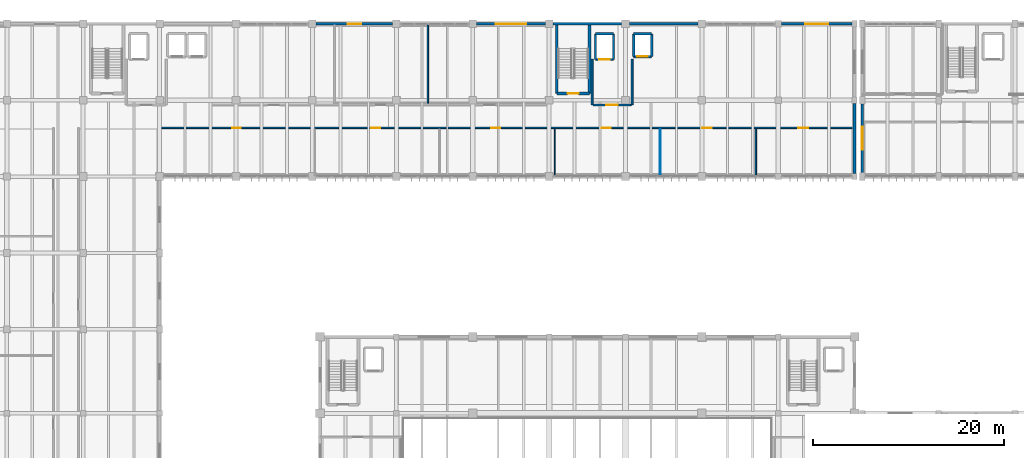
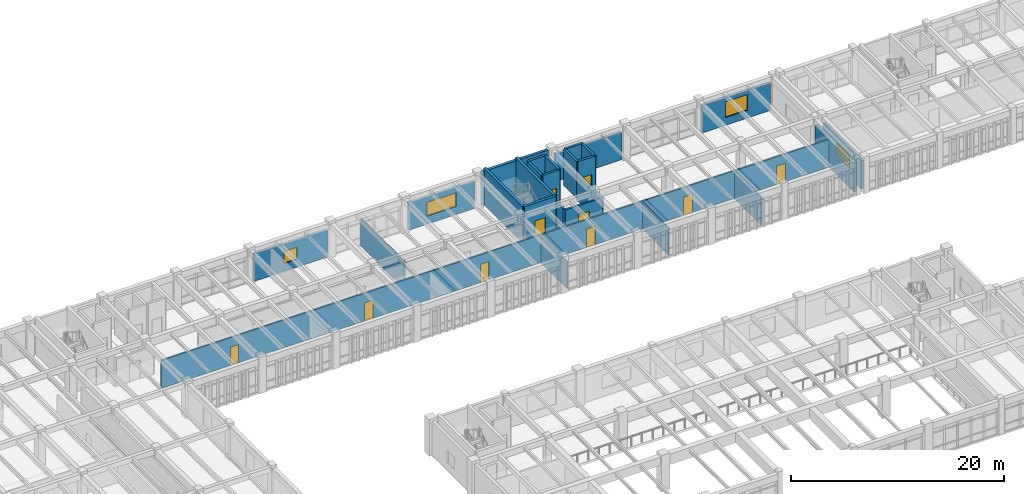
# One storey, part 48 of 67: 26 walls, 10 doors, 4 windows, 14 openings.
"""IFC4 building model written with IfcOpenShell, lengths in metres."""

from ifc_helpers import new_model, si_unit, direction, frame, frame_2d, origin, place, context, subcontext, project, spatial, rectangle, extrude, material, layer, layer_set, type_object, element, fill, save


model = new_model("IFC4")

# Units and contexts
model_context = context("Model", 3, precision=1e-05, world=origin(), true_north=direction((0.0, 1.0)))
body_context = subcontext(model_context, "Body", "Model", "MODEL_VIEW")
ifc_project = project(units=[si_unit("LENGTHUNIT", "METRE"), si_unit("AREAUNIT", "SQUARE_METRE"), si_unit("VOLUMEUNIT", "CUBIC_METRE"), si_unit("PLANEANGLEUNIT", "RADIAN"), si_unit("MASSUNIT", "GRAM", prefix="KILO")], contexts=[model_context])

# Site, building, storey
site_placement = place(None, origin())
site = spatial("IfcSite", under=ifc_project, at=site_placement, CompositionType="ELEMENT")
building_placement = place(site_placement, origin())
building = spatial("IfcBuilding", under=site, at=building_placement, Name="Tlaxcora Railside Police Headquarters", CompositionType="ELEMENT")
storey_placement = place(building_placement, frame((0.0, 0.0, 4.800048828125)))
storey = spatial("IfcBuildingStorey", under=building, at=storey_placement, Name="L01", CompositionType="ELEMENT", Elevation=4.800048828125)

# Walls
ifc_material_1 = material(Name="Gypsum acoustic partition board")
ifc_layer_1 = layer(ifc_material_1, 0.10791015625, Name="Gypsum acoustic partition board")
ifc_layer_set_1 = layer_set([ifc_layer_1], Name="Gypsum acoustic partition board")
wall_type_1 = type_object("IfcWallType", Name="Interior Partition Wall IW-19", PredefinedType="PARTITIONING", material=ifc_layer_set_1)
wall_1_placement = place(storey_placement, frame((70.571044921875, 76.8798828125, 0.0), z_axis=(0.0, 0.0, 1.0), x_axis=(0.0, 1.0, 0.0)))
element("IfcWall", 1, at=wall_1_placement, inside=storey, type_object=wall_type_1, Name="V5 L01 interior partition 107", PredefinedType="PARTITIONING", context=body_context, shape_type="SweptSolid", body=[
    extrude(rectangle(XDim=4.920166015625, YDim=0.10791015625, at=frame_2d((2.4599609375, 0.0))), origin(), (0.0, 0.0, 1.0), 3.14501953125),
])
ifc_layer_2 = layer(ifc_material_1, 0.16796875, Name="Gypsum acoustic partition board")
ifc_layer_set_2 = layer_set([ifc_layer_2], Name="Gypsum acoustic partition board")
wall_type_2 = type_object("IfcWallType", Name="Interior Partition Wall IW-31", PredefinedType="PARTITIONING", material=ifc_layer_set_2)
wall_2_placement = place(storey_placement, frame((91.658935546875, 76.8798828125, 0.0), z_axis=(0.0, 0.0, 1.0), x_axis=(0.0, 1.0, 0.0)))
element("IfcWall", 2, at=wall_2_placement, inside=storey, type_object=wall_type_2, Name="V5 L01 interior partition 109", PredefinedType="PARTITIONING", context=body_context, shape_type="SweptSolid", body=[
    extrude(rectangle(XDim=4.920166015625, YDim=0.16796875, at=frame_2d((2.4599609375, 0.0))), origin(), (0.0, 0.0, 1.0), 3.14501953125),
])
ifc_layer_3 = layer(ifc_material_1, 0.10009765625, Name="Gypsum acoustic partition board")
ifc_layer_set_3 = layer_set([ifc_layer_3], Name="Gypsum acoustic partition board")
wall_type_3 = type_object("IfcWallType", Name="Interior Partition Wall IW-45", PredefinedType="PARTITIONING", material=ifc_layer_set_3)
wall_3_placement = place(storey_placement, frame((81.616943359375, 76.8798828125, 0.0), z_axis=(0.0, 0.0, 1.0), x_axis=(0.0, 1.0, 0.0)))
element("IfcWall", 3, at=wall_3_placement, inside=storey, type_object=wall_type_3, Name="V5 L01 interior partition 108", PredefinedType="PARTITIONING", context=body_context, shape_type="SweptSolid", body=[
    extrude(rectangle(XDim=4.920166015625, YDim=0.10009765625, at=frame_2d((2.4599609375, 0.0))), origin(), (0.0, 0.0, 1.0), 3.14501953125),
])

# Wall, opening, door
ifc_material_2 = material(Name="Pressed clay brick masonry", Category="masonry")
ifc_layer_4 = layer(ifc_material_2, 0.199951171875, Name="Pressed clay brick masonry")
ifc_layer_set_4 = layer_set([ifc_layer_4], Name="Pressed clay brick masonry")
wall_type_4 = type_object("IfcWallType", Name="Interior Partition Wall IW-60", PredefinedType="PARTITIONING", material=ifc_layer_set_4)
wall_4_placement = place(storey_placement, frame((74.60009765625, 84.300048828125, 0.0), z_axis=(0.0, 0.0, 1.0), x_axis=(1.0, 0.0, 0.0)))
wall_4 = element("IfcWall", 4, at=wall_4_placement, inside=storey, type_object=wall_type_4, Name="V5 L01 interior partition 71", PredefinedType="PARTITIONING", context=body_context, shape_type="SweptSolid", body=[
    extrude(rectangle(XDim=4.0, YDim=0.199951171875, at=frame_2d((2.0, 0.0))), origin(), (0.0, 0.0, 1.0), 3.195068359375),
])
opening_1_placement = place(wall_4_placement, frame((1.39990234375, 0.0, 0.0)))
opening_1 = element("IfcOpeningElement", 5, at=opening_1_placement, cuts=wall_4, Name="Opening D-L01-119", PredefinedType="OPENING", context=body_context, shape_type="SweptSolid", body=[
    extrude(rectangle(XDim=1.199951171875, YDim=2.14990234375, at=frame_2d((0.60009765625, 1.074951171875))), frame((0.0, 0.10986328125, 0.0), z_axis=(0.0, -1.0, 0.0), x_axis=(1.0, 0.0, 0.0)), (0.0, 0.0, 1.0), 0.219970703125),
])
ifc_material_3 = material(Name="Steel ASTM A992 Grade 50", Category="steel")
door_type_1 = type_object("IfcDoorType", Name="Swing or Sliding Personnel Door ID-14", OperationType="NOTDEFINED", PredefinedType="DOOR", material=ifc_material_3)
door_1_placement = place(opening_1_placement, origin())
door_1 = element("IfcDoor", 6, at=door_1_placement, inside=storey, type_object=door_type_1, Name="V5 L01 door D-L01-119", OperationType="DOUBLE_DOOR_SINGLE_SWING", OverallHeight=2.14990234375, OverallWidth=1.199951171875, PredefinedType="DOOR", context=body_context, shape_type="SweptSolid", body=[
    extrude(rectangle(XDim=1.199951171875, YDim=2.14990234375, at=frame_2d((0.60009765625, 1.074951171875))), frame((0.0, 0.02490234375, 0.0), z_axis=(0.0, -1.0, 0.0), x_axis=(1.0, 0.0, 0.0)), (0.0, 0.0, 1.0), 0.050048828125),
])
fill(opening_1, door_1)

# Walls
wall_5_placement = place(storey_placement, frame((74.5, 84.300048828125, 0.0), z_axis=(0.0, 0.0, 1.0), x_axis=(0.0, 1.0, 0.0)))
element("IfcWall", 7, at=wall_5_placement, inside=storey, type_object=wall_type_4, Name="V5 L01 interior partition 72", PredefinedType="PARTITIONING", context=body_context, shape_type="SweptSolid", body=[
    extrude(rectangle(XDim=4.800048828125, YDim=0.199951171875, at=frame_2d((2.39990234375, 0.0))), origin(), (0.0, 0.0, 1.0), 3.344970703125),
])
wall_6_placement = place(storey_placement, frame((78.699951171875, 84.300048828125, 0.0), z_axis=(0.0, 0.0, 1.0), x_axis=(0.0, 1.0, 0.0)))
element("IfcWall", 8, at=wall_6_placement, inside=storey, type_object=wall_type_4, Name="V5 L01 interior partition 73", PredefinedType="PARTITIONING", context=body_context, shape_type="SweptSolid", body=[
    extrude(rectangle(XDim=4.800048828125, YDim=0.199951171875, at=frame_2d((2.39990234375, 0.0))), origin(), (0.0, 0.0, 1.0), 3.044921875),
])

# Wall, openings, doors
ifc_layer_5 = layer(ifc_material_1, 0.159912109375, Name="Gypsum acoustic partition board")
ifc_layer_set_5 = layer_set([ifc_layer_5], Name="Gypsum acoustic partition board")
wall_type_5 = type_object("IfcWallType", Name="Interior Partition Wall IW-73", PredefinedType="PARTITIONING", material=ifc_layer_set_5)
wall_7_placement = place(storey_placement, frame((29.300048828125, 81.89990234375, 0.0), z_axis=(0.0, 0.0, 1.0), x_axis=(1.0, 0.0, 0.0)))
wall_7 = element("IfcWall", 9, at=wall_7_placement, inside=storey, type_object=wall_type_5, Name="V5 L01 interior partition 110", PredefinedType="PARTITIONING", context=body_context, shape_type="SweptSolid", body=[
    extrude(rectangle(XDim=72.619873046875, YDim=0.159912109375, at=frame_2d((36.31005859375, 0.0))), origin(), (0.0, 0.0, 1.0), 3.195068359375),
])
opening_2_placement = place(wall_7_placement, frame((7.489990234375, 0.0, 0.0)))
opening_2 = element("IfcOpeningElement", 10, at=opening_2_placement, cuts=wall_7, Name="Opening D-L01-145", PredefinedType="OPENING", context=body_context, shape_type="SweptSolid", body=[
    extrude(rectangle(XDim=0.89990234375, YDim=2.10009765625, at=frame_2d((0.449951171875, 1.050048828125))), frame((0.0, 0.08984375, 0.0), z_axis=(0.0, -1.0, 0.0), x_axis=(1.0, 0.0, 0.0)), (0.0, 0.0, 1.0), 0.179931640625),
])
opening_3_placement = place(wall_7_placement, frame((22.090087890625, 0.0, 0.0)))
opening_3 = element("IfcOpeningElement", 11, at=opening_3_placement, cuts=wall_7, Name="Opening D-L01-146", PredefinedType="OPENING", context=body_context, shape_type="SweptSolid", body=[
    extrude(rectangle(XDim=0.919921875, YDim=2.10009765625, at=frame_2d((0.4599609375, 1.050048828125))), frame((0.0, 0.08984375, 0.0), z_axis=(0.0, -1.0, 0.0), x_axis=(1.0, 0.0, 0.0)), (0.0, 0.0, 1.0), 0.179931640625),
])
opening_4_placement = place(wall_7_placement, frame((34.64990234375, 0.0, 0.0)))
opening_4 = element("IfcOpeningElement", 12, at=opening_4_placement, cuts=wall_7, Name="Opening D-L01-147", PredefinedType="OPENING", context=body_context, shape_type="SweptSolid", body=[
    extrude(rectangle(XDim=0.949951171875, YDim=2.10009765625, at=frame_2d((0.47509765625, 1.050048828125))), frame((0.0, 0.08984375, 0.0), z_axis=(0.0, -1.0, 0.0), x_axis=(1.0, 0.0, 0.0)), (0.0, 0.0, 1.0), 0.179931640625),
])
opening_5_placement = place(wall_7_placement, frame((46.18994140625, 0.0, 0.0)))
opening_5 = element("IfcOpeningElement", 13, at=opening_5_placement, cuts=wall_7, Name="Opening D-L01-148", PredefinedType="OPENING", context=body_context, shape_type="SweptSolid", body=[
    extrude(rectangle(XDim=0.97998046875, YDim=2.1201171875, at=frame_2d((0.489990234375, 1.06005859375))), frame((0.0, 0.08984375, 0.0), z_axis=(0.0, -1.0, 0.0), x_axis=(1.0, 0.0, 0.0)), (0.0, 0.0, 1.0), 0.179931640625),
])
opening_6_placement = place(wall_7_placement, frame((56.739990234375, 0.0, 0.0)))
opening_6 = element("IfcOpeningElement", 14, at=opening_6_placement, cuts=wall_7, Name="Opening D-L01-149", PredefinedType="OPENING", context=body_context, shape_type="SweptSolid", body=[
    extrude(rectangle(XDim=1.0, YDim=2.10009765625, at=frame_2d((0.5, 1.050048828125))), frame((0.0, 0.08984375, 0.0), z_axis=(0.0, -1.0, 0.0), x_axis=(1.0, 0.0, 0.0)), (0.0, 0.0, 1.0), 0.179931640625),
])
opening_7_placement = place(wall_7_placement, frame((66.820068359375, 0.0, 0.0)))
opening_7 = element("IfcOpeningElement", 15, at=opening_7_placement, cuts=wall_7, Name="Opening D-L01-150", PredefinedType="OPENING", context=body_context, shape_type="SweptSolid", body=[
    extrude(rectangle(XDim=1.02001953125, YDim=2.1201171875, at=frame_2d((0.510009765625, 1.06005859375))), frame((0.0, 0.08984375, 0.0), z_axis=(0.0, -1.0, 0.0), x_axis=(1.0, 0.0, 0.0)), (0.0, 0.0, 1.0), 0.179931640625),
])
door_type_2 = type_object("IfcDoorType", Name="Swing or Sliding Personnel Door ID-33", OperationType="NOTDEFINED", PredefinedType="DOOR", material=ifc_material_3)
door_2_placement = place(opening_2_placement, origin())
door_2 = element("IfcDoor", 16, at=door_2_placement, inside=storey, type_object=door_type_2, Name="V5 L01 door D-L01-145", OperationType="SINGLE_SWING_LEFT", OverallHeight=2.10009765625, OverallWidth=0.89990234375, PredefinedType="DOOR", context=body_context, shape_type="SweptSolid", body=[
    extrude(rectangle(XDim=0.89990234375, YDim=2.10009765625, at=frame_2d((0.449951171875, 1.050048828125))), frame((0.0, 0.02490234375, 0.0), z_axis=(0.0, -1.0, 0.0), x_axis=(1.0, 0.0, 0.0)), (0.0, 0.0, 1.0), 0.050048828125),
])
fill(opening_2, door_2)
door_type_3 = type_object("IfcDoorType", Name="Swing or Sliding Personnel Door ID-48", OperationType="NOTDEFINED", PredefinedType="DOOR", material=ifc_material_3)
door_3_placement = place(opening_7_placement, origin())
door_3 = element("IfcDoor", 17, at=door_3_placement, inside=storey, type_object=door_type_3, Name="V5 L01 door D-L01-150", OperationType="SINGLE_SWING_RIGHT", OverallHeight=2.1201171875, OverallWidth=1.02001953125, PredefinedType="DOOR", context=body_context, shape_type="SweptSolid", body=[
    extrude(rectangle(XDim=1.02001953125, YDim=2.1201171875, at=frame_2d((0.510009765625, 1.06005859375))), frame((0.0, 0.02490234375, 0.0), z_axis=(0.0, -1.0, 0.0), x_axis=(1.0, 0.0, 0.0)), (0.0, 0.0, 1.0), 0.050048828125),
])
fill(opening_7, door_3)
door_type_4 = type_object("IfcDoorType", Name="Swing or Sliding Personnel Door ID-49", OperationType="NOTDEFINED", PredefinedType="DOOR", material=ifc_material_3)
door_4_placement = place(opening_3_placement, origin())
door_4 = element("IfcDoor", 18, at=door_4_placement, inside=storey, type_object=door_type_4, Name="V5 L01 door D-L01-146", OperationType="SINGLE_SWING_RIGHT", OverallHeight=2.10009765625, OverallWidth=0.919921875, PredefinedType="DOOR", context=body_context, shape_type="SweptSolid", body=[
    extrude(rectangle(XDim=0.919921875, YDim=2.10009765625, at=frame_2d((0.4599609375, 1.050048828125))), frame((0.0, 0.02490234375, 0.0), z_axis=(0.0, -1.0, 0.0), x_axis=(1.0, 0.0, 0.0)), (0.0, 0.0, 1.0), 0.050048828125),
])
fill(opening_3, door_4)
door_type_5 = type_object("IfcDoorType", Name="Swing or Sliding Personnel Door ID-74", OperationType="NOTDEFINED", PredefinedType="DOOR", material=ifc_material_3)
door_5_placement = place(opening_5_placement, origin())
door_5 = element("IfcDoor", 19, at=door_5_placement, inside=storey, type_object=door_type_5, Name="V5 L01 door D-L01-148", OperationType="SINGLE_SWING_RIGHT", OverallHeight=2.1201171875, OverallWidth=0.97998046875, PredefinedType="DOOR", context=body_context, shape_type="SweptSolid", body=[
    extrude(rectangle(XDim=0.97998046875, YDim=2.1201171875, at=frame_2d((0.489990234375, 1.06005859375))), frame((0.0, 0.02490234375, 0.0), z_axis=(0.0, -1.0, 0.0), x_axis=(1.0, 0.0, 0.0)), (0.0, 0.0, 1.0), 0.050048828125),
])
fill(opening_5, door_5)
door_type_6 = type_object("IfcDoorType", Name="Swing or Sliding Personnel Door ID-87", OperationType="NOTDEFINED", PredefinedType="DOOR", material=ifc_material_3)
door_6_placement = place(opening_4_placement, origin())
door_6 = element("IfcDoor", 20, at=door_6_placement, inside=storey, type_object=door_type_6, Name="V5 L01 door D-L01-147", OperationType="SINGLE_SWING_LEFT", OverallHeight=2.10009765625, OverallWidth=0.949951171875, PredefinedType="DOOR", context=body_context, shape_type="SweptSolid", body=[
    extrude(rectangle(XDim=0.949951171875, YDim=2.10009765625, at=frame_2d((0.47509765625, 1.050048828125))), frame((0.0, 0.02490234375, 0.0), z_axis=(0.0, -1.0, 0.0), x_axis=(1.0, 0.0, 0.0)), (0.0, 0.0, 1.0), 0.050048828125),
])
fill(opening_4, door_6)
door_type_7 = type_object("IfcDoorType", Name="Swing or Sliding Personnel Door ID-89", OperationType="NOTDEFINED", PredefinedType="DOOR", material=ifc_material_3)
door_7_placement = place(opening_6_placement, origin())
door_7 = element("IfcDoor", 21, at=door_7_placement, inside=storey, type_object=door_type_7, Name="V5 L01 door D-L01-149", OperationType="SINGLE_SWING_LEFT", OverallHeight=2.10009765625, OverallWidth=1.0, PredefinedType="DOOR", context=body_context, shape_type="SweptSolid", body=[
    extrude(rectangle(XDim=1.0, YDim=2.10009765625, at=frame_2d((0.5, 1.050048828125))), frame((0.0, 0.02490234375, 0.0), z_axis=(0.0, -1.0, 0.0), x_axis=(1.0, 0.0, 0.0)), (0.0, 0.0, 1.0), 0.050048828125),
])
fill(opening_6, door_7)

# Wall
wall_8_placement = place(storey_placement, frame((57.2890625, 84.5, 0.0), z_axis=(0.0, 0.0, 1.0), x_axis=(0.0, 1.0, 0.0)))
element("IfcWall", 22, at=wall_8_placement, inside=storey, type_object=wall_type_5, Name="V5 L01 interior partition 112", PredefinedType="PARTITIONING", context=body_context, shape_type="SweptSolid", body=[
    extrude(rectangle(XDim=8.219970703125, YDim=0.159912109375, at=frame_2d((4.10986328125, 0.0))), origin(), (0.0, 0.0, 1.0), 3.14501953125),
])

# Wall, opening, door
ifc_material_4 = material(Name="Concrete C40/50", Category="concrete")
ifc_layer_6 = layer(ifc_material_4, 0.25, Name="Concrete C40/50")
ifc_layer_set_6 = layer_set([ifc_layer_6], Name="Concrete C40/50")
wall_type_6 = type_object("IfcWallType", Name="Shear Core Wall IW-13", PredefinedType="SHEAR", material=ifc_layer_set_6)
wall_9_placement = place(storey_placement, frame((74.860107421875, 89.06005859375, 0.0), z_axis=(0.0, 0.0, 1.0), x_axis=(1.0, 0.0, 0.0)))
wall_9 = element("IfcWall", 23, at=wall_9_placement, inside=storey, type_object=wall_type_6, Name="Lift FFL-02 L01 shaft wall S", PredefinedType="SHEAR", context=body_context, shape_type="SweptSolid", body=[
    extrude(rectangle(XDim=1.8798828125, YDim=0.25, at=frame_2d((0.93994140625, 0.0))), origin(), (0.0, 0.0, 1.0), 4.199951171875),
])
opening_8_placement = place(wall_9_placement, frame((0.389892578125, 0.0, 0.0)))
opening_8 = element("IfcOpeningElement", 24, at=opening_8_placement, cuts=wall_9, Name="Opening LD-FFL-02-L01", PredefinedType="OPENING", context=body_context, shape_type="SweptSolid", body=[
    extrude(rectangle(XDim=1.10009765625, YDim=2.199951171875, at=frame_2d((0.550048828125, 1.10009765625))), frame((0.0, 0.135009765625, 0.0), z_axis=(0.0, -1.0, 0.0), x_axis=(1.0, 0.0, 0.0)), (0.0, 0.0, 1.0), 0.27001953125),
])
door_type_8 = type_object("IfcDoorType", Name="Swing or Sliding Personnel Door ID-15", OperationType="NOTDEFINED", PredefinedType="DOOR", material=ifc_material_3)
door_8_placement = place(opening_8_placement, origin())
door_8 = element("IfcDoor", 25, at=door_8_placement, inside=storey, type_object=door_type_8, Name="Lift FFL-02 L01 sliding landing door", OperationType="DOUBLE_DOOR_SLIDING", OverallHeight=2.199951171875, OverallWidth=1.10009765625, PredefinedType="DOOR", context=body_context, shape_type="SweptSolid", body=[
    extrude(rectangle(XDim=1.10009765625, YDim=2.199951171875, at=frame_2d((0.550048828125, 1.10009765625))), frame((0.0, 0.02490234375, 0.0), z_axis=(0.0, -1.0, 0.0), x_axis=(1.0, 0.0, 0.0)), (0.0, 0.0, 1.0), 0.050048828125),
])
fill(opening_8, door_8)

# Walls
wall_10_placement = place(storey_placement, frame((76.739990234375, 89.06005859375, 0.0), z_axis=(0.0, 0.0, 1.0), x_axis=(0.0, 1.0, 0.0)))
element("IfcWall", 26, at=wall_10_placement, inside=storey, type_object=wall_type_6, Name="Lift FFL-02 L01 shaft wall E", PredefinedType="SHEAR", context=body_context, shape_type="SweptSolid", body=[
    extrude(rectangle(XDim=2.679931640625, YDim=0.25, at=frame_2d((1.33984375, 0.0))), origin(), (0.0, 0.0, 1.0), 4.199951171875),
])
wall_11_placement = place(storey_placement, frame((76.739990234375, 91.739990234375, 0.0), z_axis=(0.0, 0.0, 1.0), x_axis=(-1.0, 0.0, 0.0)))
element("IfcWall", 27, at=wall_11_placement, inside=storey, type_object=wall_type_6, Name="Lift FFL-02 L01 shaft wall N", PredefinedType="SHEAR", context=body_context, shape_type="SweptSolid", body=[
    extrude(rectangle(XDim=1.8798828125, YDim=0.25, at=frame_2d((0.93994140625, 0.0))), origin(), (0.0, 0.0, 1.0), 4.199951171875),
])
wall_12_placement = place(storey_placement, frame((74.860107421875, 91.739990234375, 0.0), z_axis=(0.0, 0.0, 1.0), x_axis=(0.0, -1.0, 0.0)))
element("IfcWall", 28, at=wall_12_placement, inside=storey, type_object=wall_type_6, Name="Lift FFL-02 L01 shaft wall W", PredefinedType="SHEAR", context=body_context, shape_type="SweptSolid", body=[
    extrude(rectangle(XDim=2.679931640625, YDim=0.25, at=frame_2d((1.33984375, 0.0))), origin(), (0.0, 0.0, 1.0), 4.199951171875),
])

# Wall, opening, door
wall_13_placement = place(storey_placement, frame((78.860107421875, 89.360107421875, 0.0), z_axis=(0.0, 0.0, 1.0), x_axis=(1.0, 0.0, 0.0)))
wall_13 = element("IfcWall", 29, at=wall_13_placement, inside=storey, type_object=wall_type_6, Name="Lift PL-03 L01 shaft wall S", PredefinedType="SHEAR", context=body_context, shape_type="SweptSolid", body=[
    extrude(rectangle(XDim=1.8798828125, YDim=0.25, at=frame_2d((0.93994140625, 0.0))), origin(), (0.0, 0.0, 1.0), 4.199951171875),
])
opening_9_placement = place(wall_13_placement, frame((0.389892578125, 0.0, 0.0)))
opening_9 = element("IfcOpeningElement", 30, at=opening_9_placement, cuts=wall_13, Name="Opening LD-PL-03-L01", PredefinedType="OPENING", context=body_context, shape_type="SweptSolid", body=[
    extrude(rectangle(XDim=1.10009765625, YDim=2.199951171875, at=frame_2d((0.550048828125, 1.10009765625))), frame((0.0, 0.135009765625, 0.0), z_axis=(0.0, -1.0, 0.0), x_axis=(1.0, 0.0, 0.0)), (0.0, 0.0, 1.0), 0.27001953125),
])
door_9_placement = place(opening_9_placement, origin())
door_9 = element("IfcDoor", 31, at=door_9_placement, inside=storey, type_object=door_type_8, Name="Lift PL-03 L01 sliding landing door", OperationType="DOUBLE_DOOR_SLIDING", OverallHeight=2.199951171875, OverallWidth=1.10009765625, PredefinedType="DOOR", context=body_context, shape_type="SweptSolid", body=[
    extrude(rectangle(XDim=1.10009765625, YDim=2.199951171875, at=frame_2d((0.550048828125, 1.10009765625))), frame((0.0, 0.02490234375, 0.0), z_axis=(0.0, -1.0, 0.0), x_axis=(1.0, 0.0, 0.0)), (0.0, 0.0, 1.0), 0.050048828125),
])
fill(opening_9, door_9)

# Walls
wall_14_placement = place(storey_placement, frame((80.739990234375, 89.360107421875, 0.0), z_axis=(0.0, 0.0, 1.0), x_axis=(0.0, 1.0, 0.0)))
element("IfcWall", 32, at=wall_14_placement, inside=storey, type_object=wall_type_6, Name="Lift PL-03 L01 shaft wall E", PredefinedType="SHEAR", context=body_context, shape_type="SweptSolid", body=[
    extrude(rectangle(XDim=2.3798828125, YDim=0.25, at=frame_2d((1.18994140625, 0.0))), origin(), (0.0, 0.0, 1.0), 4.199951171875),
])
wall_15_placement = place(storey_placement, frame((80.739990234375, 91.739990234375, 0.0), z_axis=(0.0, 0.0, 1.0), x_axis=(-1.0, 0.0, 0.0)))
element("IfcWall", 33, at=wall_15_placement, inside=storey, type_object=wall_type_6, Name="Lift PL-03 L01 shaft wall N", PredefinedType="SHEAR", context=body_context, shape_type="SweptSolid", body=[
    extrude(rectangle(XDim=1.8798828125, YDim=0.25, at=frame_2d((0.93994140625, 0.0))), origin(), (0.0, 0.0, 1.0), 4.199951171875),
])
wall_16_placement = place(storey_placement, frame((78.860107421875, 91.739990234375, 0.0), z_axis=(0.0, 0.0, 1.0), x_axis=(0.0, -1.0, 0.0)))
element("IfcWall", 34, at=wall_16_placement, inside=storey, type_object=wall_type_6, Name="Lift PL-03 L01 shaft wall W", PredefinedType="SHEAR", context=body_context, shape_type="SweptSolid", body=[
    extrude(rectangle(XDim=2.3798828125, YDim=0.25, at=frame_2d((1.18994140625, 0.0))), origin(), (0.0, 0.0, 1.0), 4.199951171875),
])

# Wall, opening, door
ifc_layer_7 = layer(ifc_material_4, 0.300048828125, Name="Concrete C40/50")
ifc_layer_set_7 = layer_set([ifc_layer_7], Name="Concrete C40/50")
wall_type_7 = type_object("IfcWallType", Name="Shear Core Wall IW-28", PredefinedType="SHEAR", material=ifc_layer_set_7)
wall_17_placement = place(storey_placement, frame((70.800048828125, 85.5, 0.0), z_axis=(0.0, 0.0, 1.0), x_axis=(1.0, 0.0, 0.0)))
wall_17 = element("IfcWall", 35, at=wall_17_placement, inside=storey, type_object=wall_type_7, Name="CORE-C2 L01 stair core wall S", PredefinedType="SHEAR", context=body_context, shape_type="SweptSolid", body=[
    extrude(rectangle(XDim=3.419921875, YDim=0.300048828125, at=frame_2d((1.7099609375, 0.0))), origin(), (0.0, 0.0, 1.0), 4.199951171875),
])
opening_10_placement = place(wall_17_placement, frame((1.135009765625, 0.0, 0.0)))
opening_10 = element("IfcOpeningElement", 36, at=opening_10_placement, cuts=wall_17, Name="Opening SD-L01-012", PredefinedType="OPENING", context=body_context, shape_type="SweptSolid", body=[
    extrude(rectangle(XDim=1.14990234375, YDim=2.14990234375, at=frame_2d((0.574951171875, 1.074951171875))), frame((0.0, 0.16015625, 0.0), z_axis=(0.0, -1.0, 0.0), x_axis=(1.0, 0.0, 0.0)), (0.0, 0.0, 1.0), 0.320068359375),
])
door_type_9 = type_object("IfcDoorType", Name="Swing or Sliding Personnel Door ID-73", OperationType="NOTDEFINED", PredefinedType="DOOR", material=ifc_material_3)
door_10_placement = place(opening_10_placement, origin())
door_10 = element("IfcDoor", 37, at=door_10_placement, inside=storey, type_object=door_type_9, Name="Stair ST2 L01 enclosure fire door", OperationType="SINGLE_SWING_RIGHT", OverallHeight=2.14990234375, OverallWidth=1.14990234375, PredefinedType="DOOR", context=body_context, shape_type="SweptSolid", body=[
    extrude(rectangle(XDim=1.14990234375, YDim=2.14990234375, at=frame_2d((0.574951171875, 1.074951171875))), frame((0.0, 0.02490234375, 0.0), z_axis=(0.0, -1.0, 0.0), x_axis=(1.0, 0.0, 0.0)), (0.0, 0.0, 1.0), 0.050048828125),
])
fill(opening_10, door_10)

# Walls
for number, where, z_axis, x_axis, name in (
    (38, (74.219970703125, 85.5, 0.0), (0.0, 0.0, 1.0), (0.0, 1.0, 0.0), "CORE-C2 L01 stair core wall E"),
    (39, (70.800048828125, 92.800048828125, 0.0), (0.0, 0.0, 1.0), (0.0, -1.0, 0.0), "CORE-C2 L01 stair core wall W"),
):
    element("IfcWall", number, at=place(storey_placement, frame(where, z_axis=z_axis, x_axis=x_axis)), inside=storey, type_object=wall_type_7, Name=name, PredefinedType="SHEAR", context=body_context, shape_type="SweptSolid", body=[
        extrude(rectangle(XDim=7.300048828125, YDim=0.300048828125, at=frame_2d((3.64990234375, 0.0))), origin(), (0.0, 0.0, 1.0), 4.199951171875),
    ])
ifc_layer_8 = layer(ifc_material_2, 0.294921875, Name="Pressed clay brick masonry")
ifc_layer_set_8 = layer_set([ifc_layer_8], Name="Pressed clay brick masonry")
wall_type_8 = type_object("IfcWallType", Name="Structural Bearing Wall EW-74", PredefinedType="SOLIDWALL", material=ifc_layer_set_8)
wall_18_placement = place(storey_placement, frame((102.0, 77.125, 0.0), z_axis=(0.0, 0.0, 1.0), x_axis=(0.0, 1.0, 0.0)))
element("IfcWall", 40, at=wall_18_placement, inside=storey, type_object=wall_type_8, Name="V5 L01 exterior wall 3.0", PredefinedType="SOLIDWALL", context=body_context, shape_type="SweptSolid", body=[
    extrude(rectangle(XDim=7.35009765625, YDim=0.294921875, at=frame_2d((3.675048828125, 0.0))), origin(), (0.0, 0.0, 1.0), 3.260009765625),
])

# Wall, opening, window
wall_19_placement = place(storey_placement, frame((101.75, 92.800048828125, 0.0), z_axis=(0.0, 0.0, 1.0), x_axis=(-1.0, 0.0, 0.0)))
wall_19 = element("IfcWall", 41, at=wall_19_placement, inside=storey, type_object=wall_type_8, Name="V5 L01 exterior wall 4.0", PredefinedType="SOLIDWALL", context=body_context, shape_type="SweptSolid", body=[
    extrude(rectangle(XDim=7.425048828125, YDim=0.294921875, at=frame_2d((3.71240234375, 0.0))), origin(), (0.0, 0.0, 1.0), 3.159912109375),
])
opening_11_placement = place(wall_19_placement, frame((2.512451171875, 0.0, 0.89990234375)))
opening_11 = element("IfcOpeningElement", 42, at=opening_11_placement, cuts=wall_19, Name="Opening WN-76", PredefinedType="OPENING", context=body_context, shape_type="SweptSolid", body=[
    extrude(rectangle(XDim=2.39990234375, YDim=1.800048828125, at=frame_2d((1.199951171875, 0.89990234375))), frame((0.0, 0.157470703125, 0.0), z_axis=(0.0, -1.0, 0.0), x_axis=(1.0, 0.0, 0.0)), (0.0, 0.0, 1.0), 0.31494140625),
])
ifc_material_5 = material(Name="Thermally broken low-E insulated glazing", Category="glass")
window_type_1 = type_object("IfcWindowType", Name="Exterior Framed or Circular Window WN-76", PartitioningType="SINGLE_PANEL", PredefinedType="WINDOW", material=ifc_material_5)
window_1_placement = place(opening_11_placement, origin())
window_1 = element("IfcWindow", 43, at=window_1_placement, inside=storey, type_object=window_type_1, Name="V5 L01 window 119", OverallHeight=1.800048828125, OverallWidth=2.39990234375, PartitioningType="SINGLE_PANEL", PredefinedType="WINDOW", context=body_context, shape_type="SweptSolid", body=[
    extrude(rectangle(XDim=2.39990234375, YDim=1.800048828125, at=frame_2d((1.199951171875, 0.89990234375))), frame((0.0, 0.030029296875, 0.0), z_axis=(0.0, -1.0, 0.0), x_axis=(1.0, 0.0, 0.0)), (0.0, 0.0, 1.0), 0.06005859375),
])
fill(opening_11, window_1)

# Walls
wall_20_placement = place(storey_placement, frame((85.60009765625, 92.800048828125, 0.0), z_axis=(0.0, 0.0, 1.0), x_axis=(-1.0, 0.0, 0.0)))
element("IfcWall", 44, at=wall_20_placement, inside=storey, type_object=wall_type_8, Name="V5 L01 exterior wall 4.2", PredefinedType="SOLIDWALL", context=body_context, shape_type="SweptSolid", body=[
    extrude(rectangle(XDim=7.2001953125, YDim=0.294921875, at=frame_2d((3.60009765625, 0.0))), origin(), (0.0, 0.0, 1.0), 3.159912109375),
])
wall_21_placement = place(storey_placement, frame((77.60009765625, 92.800048828125, 0.0), z_axis=(0.0, 0.0, 1.0), x_axis=(-1.0, 0.0, 0.0)))
element("IfcWall", 45, at=wall_21_placement, inside=storey, type_object=wall_type_8, Name="V5 L01 exterior wall 4.3", PredefinedType="SOLIDWALL", context=body_context, shape_type="SweptSolid", body=[
    extrude(rectangle(XDim=7.2001953125, YDim=0.294921875, at=frame_2d((3.60009765625, 0.0))), origin(), (0.0, 0.0, 1.0), 3.909912109375),
])

# Wall, opening, window
wall_22_placement = place(storey_placement, frame((69.60009765625, 92.800048828125, 0.0), z_axis=(0.0, 0.0, 1.0), x_axis=(-1.0, 0.0, 0.0)))
wall_22 = element("IfcWall", 46, at=wall_22_placement, inside=storey, type_object=wall_type_8, Name="V5 L01 exterior wall 4.4", PredefinedType="SOLIDWALL", context=body_context, shape_type="SweptSolid", body=[
    extrude(rectangle(XDim=7.2001953125, YDim=0.294921875, at=frame_2d((3.60009765625, 0.0))), origin(), (0.0, 0.0, 1.0), 3.159912109375),
])
opening_12_placement = place(wall_22_placement, frame((2.0, 0.0, 0.89990234375)))
opening_12 = element("IfcOpeningElement", 47, at=opening_12_placement, cuts=wall_22, Name="Opening WN-47", PredefinedType="OPENING", context=body_context, shape_type="SweptSolid", body=[
    extrude(rectangle(XDim=3.199951171875, YDim=1.60009765625, at=frame_2d((1.60009765625, 0.800048828125))), frame((0.0, 0.157470703125, 0.0), z_axis=(0.0, -1.0, 0.0), x_axis=(1.0, 0.0, 0.0)), (0.0, 0.0, 1.0), 0.31494140625),
])
window_type_2 = type_object("IfcWindowType", Name="Exterior Framed or Circular Window WN-47", PartitioningType="SINGLE_PANEL", PredefinedType="WINDOW", material=ifc_material_5)
window_2_placement = place(opening_12_placement, origin())
window_2 = element("IfcWindow", 48, at=window_2_placement, inside=storey, type_object=window_type_2, Name="V5 L01 window 120", OverallHeight=1.60009765625, OverallWidth=3.199951171875, PartitioningType="SINGLE_PANEL", PredefinedType="WINDOW", context=body_context, shape_type="SweptSolid", body=[
    extrude(rectangle(XDim=3.199951171875, YDim=1.60009765625, at=frame_2d((1.60009765625, 0.800048828125))), frame((0.0, 0.030029296875, 0.0), z_axis=(0.0, -1.0, 0.0), x_axis=(1.0, 0.0, 0.0)), (0.0, 0.0, 1.0), 0.06005859375),
])
fill(opening_12, window_2)

wall_23_placement = place(storey_placement, frame((53.60009765625, 92.800048828125, 0.0), z_axis=(0.0, 0.0, 1.0), x_axis=(-1.0, 0.0, 0.0)))
wall_23 = element("IfcWall", 49, at=wall_23_placement, inside=storey, type_object=wall_type_8, Name="V5 L01 exterior wall 4.6", PredefinedType="SOLIDWALL", context=body_context, shape_type="SweptSolid", body=[
    extrude(rectangle(XDim=8.0, YDim=0.294921875, at=frame_2d((4.0, 0.0))), origin(), (0.0, 0.0, 1.0), 3.159912109375),
])
opening_13_placement = place(wall_23_placement, frame((3.300048828125, 0.0, 0.89990234375)))
opening_13 = element("IfcOpeningElement", 50, at=opening_13_placement, cuts=wall_23, Name="Opening WN-22", PredefinedType="OPENING", context=body_context, shape_type="SweptSolid", body=[
    extrude(rectangle(XDim=1.39990234375, YDim=1.39990234375, at=frame_2d((0.699951171875, 0.699951171875))), frame((0.0, 0.157470703125, 0.0), z_axis=(0.0, -1.0, 0.0), x_axis=(1.0, 0.0, 0.0)), (0.0, 0.0, 1.0), 0.31494140625),
])
window_type_3 = type_object("IfcWindowType", Name="Exterior Framed or Circular Window WN-22", PartitioningType="SINGLE_PANEL", PredefinedType="WINDOW", material=ifc_material_5)
window_3_placement = place(opening_13_placement, origin())
window_3 = element("IfcWindow", 51, at=window_3_placement, inside=storey, type_object=window_type_3, Name="V5 L01 window 121", OverallHeight=1.39990234375, OverallWidth=1.39990234375, PartitioningType="SINGLE_PANEL", PredefinedType="WINDOW", context=body_context, shape_type="SweptSolid", body=[
    extrude(rectangle(XDim=1.39990234375, YDim=1.39990234375, at=frame_2d((0.699951171875, 0.699951171875))), frame((0.0, 0.030029296875, 0.0), z_axis=(0.0, -1.0, 0.0), x_axis=(1.0, 0.0, 0.0)), (0.0, 0.0, 1.0), 0.06005859375),
])
fill(opening_13, window_3)

ifc_material_6 = material(Name="Precast concrete C40/50", Category="concrete")
ifc_layer_9 = layer(ifc_material_6, 0.2451171875, Name="Precast concrete C40/50")
ifc_layer_set_9 = layer_set([ifc_layer_9], Name="Precast concrete C40/50")
wall_type_9 = type_object("IfcWallType", Name="Structural Bearing Wall EW-94", PredefinedType="SOLIDWALL", material=ifc_layer_set_9)
wall_24_placement = place(storey_placement, frame((102.800048828125, 84.39990234375, 0.0), z_axis=(0.0, 0.0, 1.0), x_axis=(0.0, -1.0, 0.0)))
wall_24 = element("IfcWall", 52, at=wall_24_placement, inside=storey, type_object=wall_type_9, Name="V6 L01 exterior wall 3.1", PredefinedType="SOLIDWALL", context=body_context, shape_type="SweptSolid", body=[
    extrude(rectangle(XDim=7.199951171875, YDim=0.2451171875, at=frame_2d((3.60009765625, 0.0))), origin(), (0.0, 0.0, 1.0), 3.260009765625),
])
opening_14_placement = place(wall_24_placement, frame((2.39990234375, 0.0, 0.89990234375)))
opening_14 = element("IfcOpeningElement", 53, at=opening_14_placement, cuts=wall_24, Name="Opening WN-59", PredefinedType="OPENING", context=body_context, shape_type="SweptSolid", body=[
    extrude(rectangle(XDim=2.39990234375, YDim=1.5, at=frame_2d((1.199951171875, 0.75))), frame((0.0, 0.132568359375, 0.0), z_axis=(0.0, -1.0, 0.0), x_axis=(1.0, 0.0, 0.0)), (0.0, 0.0, 1.0), 0.26513671875),
])
window_type_4 = type_object("IfcWindowType", Name="Exterior Framed or Circular Window WN-59", PartitioningType="SINGLE_PANEL", PredefinedType="WINDOW", material=ifc_material_5)
window_4_placement = place(opening_14_placement, origin())
window_4 = element("IfcWindow", 54, at=window_4_placement, inside=storey, type_object=window_type_4, Name="V6 L01 window 173", OverallHeight=1.5, OverallWidth=2.39990234375, PartitioningType="SINGLE_PANEL", PredefinedType="WINDOW", context=body_context, shape_type="SweptSolid", body=[
    extrude(rectangle(XDim=2.39990234375, YDim=1.5, at=frame_2d((1.199951171875, 0.75))), frame((0.0, 0.030029296875, 0.0), z_axis=(0.0, -1.0, 0.0), x_axis=(1.0, 0.0, 0.0)), (0.0, 0.0, 1.0), 0.06005859375),
])
fill(opening_14, window_4)

save(model, "model.ifc")
